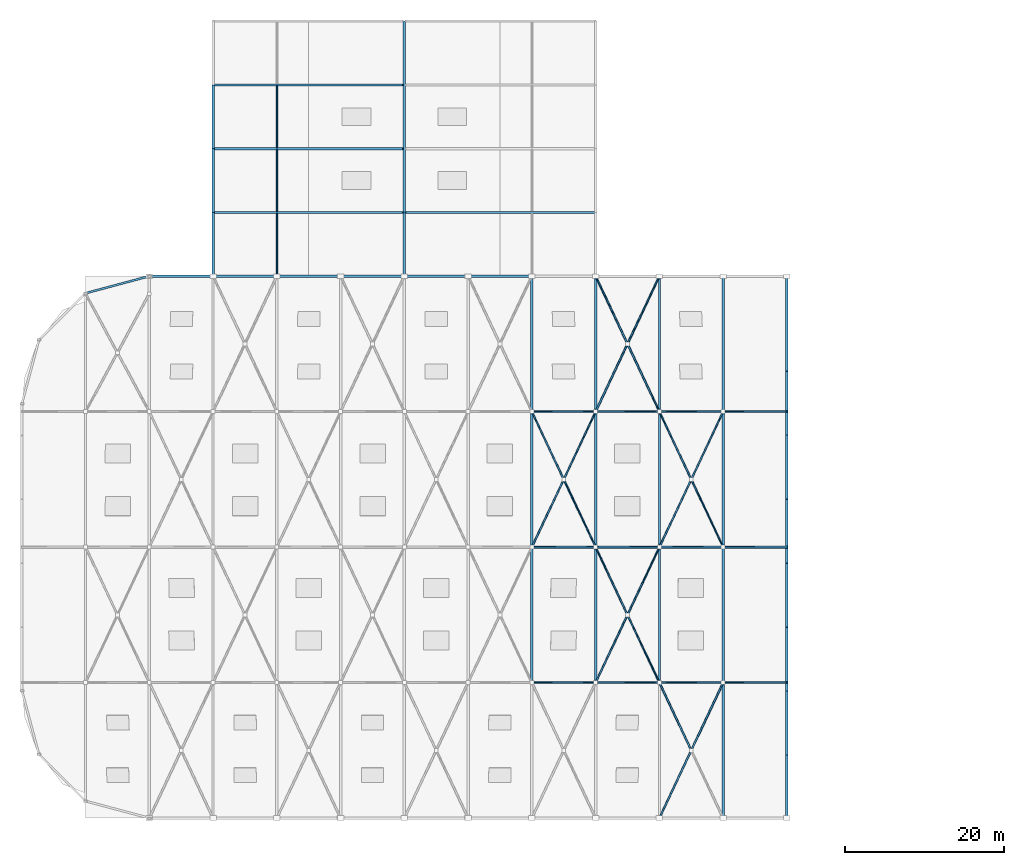
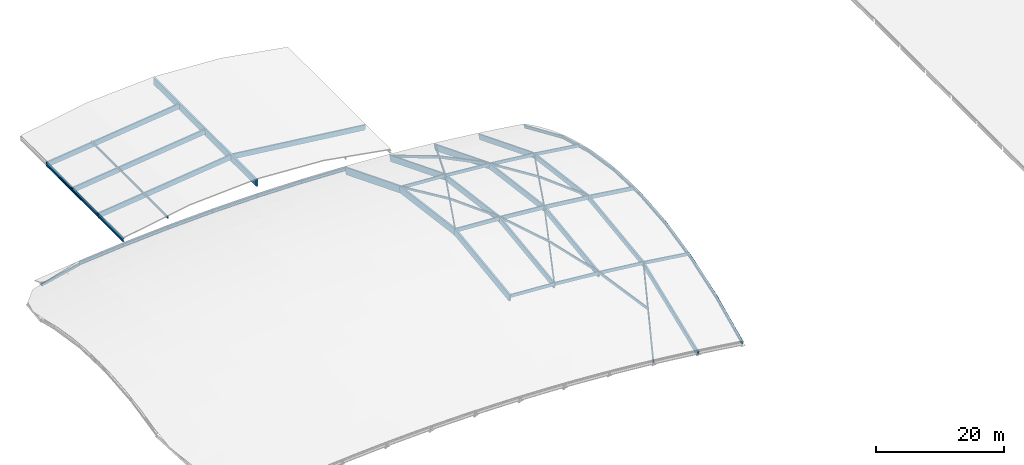
# One storey, part 3 of 11: 36 beams, 29 members.
"""IFC4 building model written with IfcOpenShell, lengths in metres."""

from ifc_helpers import new_model, si_unit, direction, frame, origin, origin_2d, place, context, subcontext, project, spatial, rectangle, hollow_rectangle, i_section, extrude, material, material_profile, profile_set, type_object, element, save


model = new_model("IFC4")

# Units and contexts
model_context = context("Model", 3, precision=1e-05, world=origin(), true_north=direction((0.0, 1.0)))
body_context = subcontext(model_context, "Body", "Model", "MODEL_VIEW")
ifc_project = project(units=[si_unit("LENGTHUNIT", "METRE"), si_unit("AREAUNIT", "SQUARE_METRE"), si_unit("VOLUMEUNIT", "CUBIC_METRE"), si_unit("PLANEANGLEUNIT", "RADIAN"), si_unit("MASSUNIT", "GRAM", prefix="KILO")], contexts=[model_context])

# Site, building, storey
site_placement = place(None, origin())
site = spatial("IfcSite", under=ifc_project, at=site_placement, CompositionType="ELEMENT")
building_placement = place(site_placement, origin())
building = spatial("IfcBuilding", under=site, at=building_placement, Name="Drelvana Railside Aquatics Centre", CompositionType="ELEMENT")
storey_placement = place(building_placement, frame((0.0, 0.0, 22.800048828125)))
storey = spatial("IfcBuildingStorey", under=building, at=storey_placement, Name="Roof", CompositionType="ELEMENT", Elevation=22.800048828125)

# Beams
ifc_material_1 = material(Name="Glulam timber GL28h", Category="wood")
ifc_material_profile_1 = material_profile(ifc_material_1, rectangle(XDim=0.280029296875, YDim=0.9599609375, at=origin_2d()), Name="GL28h 280x960")
ifc_profile_set_1 = profile_set([ifc_material_profile_1], Name="Glulam timber GL28h")
beam_type_1 = type_object("IfcBeamType", Name="STR-GLB-GA-03", PredefinedType="BEAM", material=ifc_profile_set_1)
beam_1_placement = place(storey_placement, frame((88.0, 16.0, -7.39501953125), z_axis=(0.0, 0.929526136341, 0.368756236367), x_axis=(-1.0, 0.0, 0.0)))
element("IfcBeam", 1, at=beam_1_placement, inside=storey, type_object=beam_type_1, Name="Glulam gridshell primary arch rib X11.1", PredefinedType="BEAM", context=body_context, shape_type="SweptSolid", body=[
    extrude(rectangle(XDim=0.280029296875, YDim=0.9599609375, at=origin_2d()), origin(), (0.0, 0.0, 1.0), 18.337158203125),
])
for number, where, z_axis, x_axis, name in (
    (2, (88.0, 32.955078125, -0.656982421875), (0.0, 0.991354224176, 0.131212812671), (-1.0, 0.0, 0.0), "Glulam gridshell primary arch rib X11.2"),
    (3, (88.0, 49.955078125, 1.60498046875), (0.0, 0.991354224176, -0.131212812671), (-1.0, 0.0, 0.0), "Glulam gridshell primary arch rib X11.3"),
):
    element("IfcBeam", number, at=place(storey_placement, frame(where, z_axis=z_axis, x_axis=x_axis)), inside=storey, type_object=beam_type_1, Name=name, PredefinedType="BEAM", context=body_context, shape_type="SweptSolid", body=[
        extrude(rectangle(XDim=0.280029296875, YDim=0.9599609375, at=origin_2d()), origin(), (0.0, 0.0, 1.0), 17.23876953125),
    ])
beam_2_placement = place(storey_placement, frame((88.0, 66.955078125, -0.633056640625), z_axis=(0.0, 0.929526136341, -0.368756236367), x_axis=(-1.0, 0.0, 0.0)))
element("IfcBeam", 4, at=beam_2_placement, inside=storey, type_object=beam_type_1, Name="Glulam gridshell primary arch rib X11.4", PredefinedType="BEAM", context=body_context, shape_type="SweptSolid", body=[
    extrude(rectangle(XDim=0.280029296875, YDim=0.9599609375, at=origin_2d()), origin(), (0.0, 0.0, 1.0), 18.337158203125),
])
for number, where, z_axis, x_axis, name in (
    (5, (24.0, 92.0, -4.840087890625), (0.993174327395, 0.0, 0.116639424741), (0.0, 1.0, 0.0), "Diving Hall glulam vault arch Y92.1"),
    (6, (48.159912109375, 92.0, -2.040283203125), (0.993174327395, 0.0, -0.116639424741), (0.0, 1.0, 0.0), "Diving Hall glulam vault arch Y92.2"),
    (7, (24.0, 100.0, -4.840087890625), (0.993174327395, 0.0, 0.116639424741), (0.0, 1.0, 0.0), "Diving Hall glulam vault arch Y100.1"),
    (8, (24.0, 108.0, -4.840087890625), (0.993174327395, 0.0, 0.116639424741), (0.0, 1.0, 0.0), "Diving Hall glulam vault arch Y108.1"),
):
    element("IfcBeam", number, at=place(storey_placement, frame(where, z_axis=z_axis, x_axis=x_axis)), inside=storey, type_object=beam_type_1, Name=name, PredefinedType="BEAM", context=body_context, shape_type="SweptSolid", body=[
        extrude(rectangle(XDim=0.280029296875, YDim=0.9599609375, at=origin_2d()), origin(), (0.0, 0.0, 1.0), 24.00390625),
    ])
ifc_material_profile_2 = material_profile(ifc_material_1, rectangle(XDim=0.280029296875, YDim=1.1201171875, at=origin_2d()), Name="GL28h 280x1120")
ifc_profile_set_2 = profile_set([ifc_material_profile_2], Name="Glulam timber GL28h")
beam_type_2 = type_object("IfcBeamType", Name="STR-GLB-GA-04", PredefinedType="BEAM", material=ifc_profile_set_2)
for number, where, z_axis, x_axis, name in (
    (9, (72.0, 32.955078125, 0.863037109375), (0.0, 0.991354224176, 0.131212812671), (-1.0, 0.0, 0.0), "Glulam gridshell primary arch rib X09.2"),
    (10, (72.0, 49.955078125, 3.125), (0.0, 0.991354224176, -0.131212812671), (-1.0, 0.0, 0.0), "Glulam gridshell primary arch rib X09.3"),
):
    element("IfcBeam", number, at=place(storey_placement, frame(where, z_axis=z_axis, x_axis=x_axis)), inside=storey, type_object=beam_type_2, Name=name, PredefinedType="BEAM", context=body_context, shape_type="SweptSolid", body=[
        extrude(rectangle(XDim=0.280029296875, YDim=1.1201171875, at=origin_2d()), origin(), (0.0, 0.0, 1.0), 17.23876953125),
    ])
beam_3_placement = place(storey_placement, frame((72.0, 66.955078125, 0.886962890625), z_axis=(0.0, 0.929526136341, -0.368756236367), x_axis=(-1.0, 0.0, 0.0)))
element("IfcBeam", 11, at=beam_3_placement, inside=storey, type_object=beam_type_2, Name="Glulam gridshell primary arch rib X09.4", PredefinedType="BEAM", context=body_context, shape_type="SweptSolid", body=[
    extrude(rectangle(XDim=0.280029296875, YDim=1.1201171875, at=origin_2d()), origin(), (0.0, 0.0, 1.0), 18.337158203125),
])
for number, where, z_axis, x_axis, name in (
    (12, (80.0, 32.955078125, 0.1630859375), (0.0, 0.991354224176, 0.131212812671), (-1.0, 0.0, 0.0), "Glulam gridshell primary arch rib X10.2"),
    (13, (80.0, 49.955078125, 2.425048828125), (0.0, 0.991354224176, -0.131212812671), (-1.0, 0.0, 0.0), "Glulam gridshell primary arch rib X10.3"),
):
    element("IfcBeam", number, at=place(storey_placement, frame(where, z_axis=z_axis, x_axis=x_axis)), inside=storey, type_object=beam_type_2, Name=name, PredefinedType="BEAM", context=body_context, shape_type="SweptSolid", body=[
        extrude(rectangle(XDim=0.280029296875, YDim=1.1201171875, at=origin_2d()), origin(), (0.0, 0.0, 1.0), 17.23876953125),
    ])
beam_4_placement = place(storey_placement, frame((80.0, 66.955078125, 0.186767578125), z_axis=(0.0, 0.929530699892, -0.368744732786), x_axis=(-1.0, 0.0, 0.0)))
element("IfcBeam", 14, at=beam_4_placement, inside=storey, type_object=beam_type_2, Name="Glulam gridshell primary arch rib X10.4", PredefinedType="BEAM", context=body_context, shape_type="SweptSolid", body=[
    extrude(rectangle(XDim=0.280029296875, YDim=1.1201171875, at=origin_2d()), origin(), (0.0, 0.0, 1.0), 18.337158203125),
])
ifc_material_profile_3 = material_profile(ifc_material_1, rectangle(XDim=0.320068359375, YDim=1.280029296875, at=origin_2d()), Name="GL28h 320x1280")
ifc_profile_set_3 = profile_set([ifc_material_profile_3], Name="Glulam timber GL28h")
beam_type_3 = type_object("IfcBeamType", Name="STR-GLB-GA-05", PredefinedType="BEAM", material=ifc_profile_set_3)
for number, where, z_axis, x_axis, name in (
    (15, (64.0, 32.955078125, 1.282958984375), (0.0, 0.991354224176, 0.131212812671), (-1.0, 0.0, 0.0), "Glulam gridshell primary arch rib X08.2"),
    (16, (64.0, 49.955078125, 3.544921875), (0.0, 0.991354224176, -0.131212812671), (-1.0, 0.0, 0.0), "Glulam gridshell primary arch rib X08.3"),
):
    element("IfcBeam", number, at=place(storey_placement, frame(where, z_axis=z_axis, x_axis=x_axis)), inside=storey, type_object=beam_type_3, Name=name, PredefinedType="BEAM", context=body_context, shape_type="SweptSolid", body=[
        extrude(rectangle(XDim=0.320068359375, YDim=1.280029296875, at=origin_2d()), origin(), (0.0, 0.0, 1.0), 17.23876953125),
    ])
beam_5_placement = place(storey_placement, frame((64.0, 66.955078125, 1.306884765625), z_axis=(0.0, 0.929526136341, -0.368756236367), x_axis=(-1.0, 0.0, 0.0)))
element("IfcBeam", 17, at=beam_5_placement, inside=storey, type_object=beam_type_3, Name="Glulam gridshell primary arch rib X08.4", PredefinedType="BEAM", context=body_context, shape_type="SweptSolid", body=[
    extrude(rectangle(XDim=0.320068359375, YDim=1.280029296875, at=origin_2d()), origin(), (0.0, 0.0, 1.0), 18.337158203125),
])
beam_6_placement = place(storey_placement, frame((48.0, 84.0, -2.199951171875), z_axis=(0.0, 1.0, 0.0), x_axis=(-1.0, 0.0, 0.0)))
element("IfcBeam", 18, at=beam_6_placement, inside=storey, type_object=beam_type_3, Name="Diving Hall crown ridge girder", PredefinedType="BEAM", context=body_context, shape_type="SweptSolid", body=[
    extrude(rectangle(XDim=0.320068359375, YDim=1.280029296875, at=origin_2d()), origin(), (0.0, 0.0, 1.0), 32.0),
])

# Members
ifc_material_profile_4 = material_profile(ifc_material_1, rectangle(XDim=0.179931640625, YDim=0.39990234375, at=origin_2d()), Name="GL28h 180x400")
ifc_profile_set_4 = profile_set([ifc_material_profile_4], Name="Glulam timber GL28h")
member_type_1 = type_object("IfcMemberType", Name="STR-GLM-GD-01", PredefinedType="BRACE", material=ifc_profile_set_4)
member_1_placement = place(storey_placement, frame((64.00634765625, 50.013671875, 4.020751953125), z_axis=(0.421314601473, 0.895274211224, -0.144838162452), x_axis=(-0.904815162631, 0.425804557834, 0.0)))
element("IfcMember", 19, at=member_1_placement, inside=storey, type_object=member_type_1, Name="Glulam gridshell continuous diagonal brace GD-046", PredefinedType="BRACE", context=body_context, shape_type="SweptSolid", body=[
    extrude(rectangle(XDim=0.179931640625, YDim=0.39990234375, at=origin_2d()), origin(), (0.0, 0.0, 1.0), 18.9580078125),
])
member_2_placement = place(storey_placement, frame((64.00634765625, 66.986328125, 1.774169921875), z_axis=(0.42072255736, -0.894012809338, 0.154057218164), x_axis=(0.904814550604, 0.425805858362, 0.0)))
element("IfcMember", 20, at=member_2_placement, inside=storey, type_object=member_type_1, Name="Glulam gridshell split diagonal brace GD-047A", PredefinedType="BRACE", context=body_context, shape_type="SweptSolid", body=[
    extrude(rectangle(XDim=0.179931640625, YDim=0.39990234375, at=origin_2d()), origin(), (0.0, 0.0, 1.0), 9.44189453125),
])
member_3_placement = place(storey_placement, frame((68.021240234375, 58.454833984375, 3.238037109375), z_axis=(0.425609458899, -0.904397212305, 0.030368912899), x_axis=(0.904814550604, 0.425805858362, 0.0)))
element("IfcMember", 21, at=member_3_placement, inside=storey, type_object=member_type_1, Name="Glulam gridshell split diagonal brace GD-048B", PredefinedType="BRACE", context=body_context, shape_type="SweptSolid", body=[
    extrude(rectangle(XDim=0.179931640625, YDim=0.39990234375, at=origin_2d()), origin(), (0.0, 0.0, 1.0), 9.33349609375),
])
member_4_placement = place(storey_placement, frame((72.00634765625, 33.013671875, 1.274169921875), z_axis=(0.424363187881, 0.901752317567, 0.082210963589), x_axis=(-0.904815162631, 0.425804557834, 0.0)))
element("IfcMember", 22, at=member_4_placement, inside=storey, type_object=member_type_1, Name="Glulam gridshell continuous diagonal brace GD-049", PredefinedType="BRACE", context=body_context, shape_type="SweptSolid", body=[
    extrude(rectangle(XDim=0.179931640625, YDim=0.39990234375, at=origin_2d()), origin(), (0.0, 0.0, 1.0), 18.82177734375),
])
member_5_placement = place(storey_placement, frame((72.00634765625, 49.986328125, 3.5205078125), z_axis=(0.423927658635, -0.900823477186, -0.093821123394), x_axis=(0.904814550604, 0.425805858362, 0.0)))
element("IfcMember", 23, at=member_5_placement, inside=storey, type_object=member_type_1, Name="Glulam gridshell split diagonal brace GD-050A", PredefinedType="BRACE", context=body_context, shape_type="SweptSolid", body=[
    extrude(rectangle(XDim=0.179931640625, YDim=0.39990234375, at=origin_2d()), origin(), (0.0, 0.0, 1.0), 9.37060546875),
])
member_6_placement = place(storey_placement, frame((76.021240234375, 41.454833984375, 2.62548828125), z_axis=(0.415880783586, -0.883724300441, -0.214649795375), x_axis=(0.904814550604, 0.425805858362, 0.0)))
element("IfcMember", 24, at=member_6_placement, inside=storey, type_object=member_type_1, Name="Glulam gridshell split diagonal brace GD-051B", PredefinedType="BRACE", context=body_context, shape_type="SweptSolid", body=[
    extrude(rectangle(XDim=0.179931640625, YDim=0.39990234375, at=origin_2d()), origin(), (0.0, 0.0, 1.0), 9.5517578125),
])
member_7_placement = place(storey_placement, frame((80.00634765625, 50.013671875, 2.8203125), z_axis=(0.419943083435, 0.892359798277, -0.165353551804), x_axis=(-0.904815162631, 0.425804557834, 0.0)))
element("IfcMember", 25, at=member_7_placement, inside=storey, type_object=member_type_1, Name="Glulam gridshell continuous diagonal brace GD-058", PredefinedType="BRACE", context=body_context, shape_type="SweptSolid", body=[
    extrude(rectangle(XDim=0.179931640625, YDim=0.39990234375, at=origin_2d()), origin(), (0.0, 0.0, 1.0), 19.02001953125),
])
member_8_placement = place(storey_placement, frame((80.00634765625, 66.986328125, 0.573974609375), z_axis=(0.421999372572, -0.896725972999, 0.133413113669), x_axis=(0.904814550604, 0.425805858362, 0.0)))
element("IfcMember", 26, at=member_8_placement, inside=storey, type_object=member_type_1, Name="Glulam gridshell split diagonal brace GD-059A", PredefinedType="BRACE", context=body_context, shape_type="SweptSolid", body=[
    extrude(rectangle(XDim=0.179931640625, YDim=0.39990234375, at=origin_2d()), origin(), (0.0, 0.0, 1.0), 9.413330078125),
])
member_9_placement = place(storey_placement, frame((84.021240234375, 58.454833984375, 1.8369140625), z_axis=(0.425788303052, -0.904777246514, 0.009080483139), x_axis=(0.904814550604, 0.425805858362, 0.0)))
element("IfcMember", 27, at=member_9_placement, inside=storey, type_object=member_type_1, Name="Glulam gridshell split diagonal brace GD-060B", PredefinedType="BRACE", context=body_context, shape_type="SweptSolid", body=[
    extrude(rectangle(XDim=0.179931640625, YDim=0.39990234375, at=origin_2d()), origin(), (0.0, 0.0, 1.0), 9.32958984375),
])
ifc_material_profile_5 = material_profile(ifc_material_1, rectangle(XDim=0.199951171875, YDim=0.47998046875, at=origin_2d()), Name="GL28h 200x480")
ifc_profile_set_5 = profile_set([ifc_material_profile_5], Name="Glulam timber GL28h")
member_type_2 = type_object("IfcMemberType", Name="STR-GLM-GD-02", PredefinedType="BRACE", material=ifc_profile_set_5)
member_10_placement = place(storey_placement, frame((72.00634765625, 67.013671875, 1.226806640625), z_axis=(0.395822755558, 0.841105207434, -0.368600564581), x_axis=(-0.904815162631, 0.425804557834, 0.0)))
element("IfcMember", 28, at=member_10_placement, inside=storey, type_object=member_type_2, Name="Glulam gridshell continuous diagonal brace GD-052", PredefinedType="BRACE", context=body_context, shape_type="SweptSolid", body=[
    extrude(rectangle(XDim=0.199951171875, YDim=0.47998046875, at=origin_2d()), origin(), (0.0, 0.0, 1.0), 20.178955078125),
])
member_11_placement = place(storey_placement, frame((72.00634765625, 83.986328125, -5.512451171875), z_axis=(0.397399697975, -0.844452987369, 0.359127598735), x_axis=(0.904814550604, 0.425805858362, 0.0)))
element("IfcMember", 29, at=member_11_placement, inside=storey, type_object=member_type_2, Name="Glulam gridshell split diagonal brace GD-053A", PredefinedType="BRACE", context=body_context, shape_type="SweptSolid", body=[
    extrude(rectangle(XDim=0.199951171875, YDim=0.47998046875, at=origin_2d()), origin(), (0.0, 0.0, 1.0), 9.99609375),
])
member_12_placement = place(storey_placement, frame((76.021240234375, 75.454833984375, -1.890380859375), z_axis=(0.412181055143, -0.875862576459, 0.250941277871), x_axis=(0.904814550604, 0.425805858362, 0.0)))
element("IfcMember", 30, at=member_12_placement, inside=storey, type_object=member_type_2, Name="Glulam gridshell split diagonal brace GD-054B", PredefinedType="BRACE", context=body_context, shape_type="SweptSolid", body=[
    extrude(rectangle(XDim=0.199951171875, YDim=0.47998046875, at=origin_2d()), origin(), (0.0, 0.0, 1.0), 9.637451171875),
])
member_13_placement = place(storey_placement, frame((80.00634765625, 16.013671875, -6.21240234375), z_axis=(0.40655341252, 0.863907361487, 0.297285037527), x_axis=(-0.904815162631, 0.425804557834, 0.0)))
element("IfcMember", 31, at=member_13_placement, inside=storey, type_object=member_type_2, Name="Glulam gridshell continuous diagonal brace GD-055", PredefinedType="BRACE", context=body_context, shape_type="SweptSolid", body=[
    extrude(rectangle(XDim=0.199951171875, YDim=0.47998046875, at=origin_2d()), origin(), (0.0, 0.0, 1.0), 19.646484375),
])
member_14_placement = place(storey_placement, frame((80.00634765625, 32.986328125, 0.526611328125), z_axis=(0.402599346592, -0.855501961061, -0.325622727623), x_axis=(0.904814550604, 0.425805858362, 0.0)))
element("IfcMember", 32, at=member_14_placement, inside=storey, type_object=member_type_2, Name="Glulam gridshell split diagonal brace GD-056A", PredefinedType="BRACE", context=body_context, shape_type="SweptSolid", body=[
    extrude(rectangle(XDim=0.199951171875, YDim=0.47998046875, at=origin_2d()), origin(), (0.0, 0.0, 1.0), 9.866943359375),
])
ifc_material_profile_6 = material_profile(ifc_material_1, rectangle(XDim=0.179931640625, YDim=0.39990234375, at=origin_2d()), Name="GL28h 180x400")
ifc_profile_set_6 = profile_set([ifc_material_profile_6], Name="Glulam timber GL28h")
member_type_3 = type_object("IfcMemberType", Name="STR-GLM-GR-02", PredefinedType="RAFTER", material=ifc_profile_set_6)
member_15_placement = place(storey_placement, frame((32.0, 84.0, -3.179931640625), z_axis=(0.0, 1.0, 0.0), x_axis=(-1.0, 0.0, 0.0)))
element("IfcMember", 33, at=member_15_placement, inside=storey, type_object=member_type_3, Name="Diving Hall vault purlin X32.1", PredefinedType="RAFTER", context=body_context, shape_type="SweptSolid", body=[
    extrude(rectangle(XDim=0.179931640625, YDim=0.39990234375, at=origin_2d()), origin(), (0.0, 0.0, 1.0), 7.864990234375),
])
for number, where, z_axis, x_axis, name in (
    (34, (32.0, 92.135009765625, -3.179931640625), (0.0, 1.0, 0.0), (-1.0, 0.0, 0.0), "Diving Hall vault purlin X32.2"),
    (35, (32.0, 100.135009765625, -3.179931640625), (0.0, 1.0, 0.0), (-1.0, 0.0, 0.0), "Diving Hall vault purlin X32.3"),
):
    element("IfcMember", number, at=place(storey_placement, frame(where, z_axis=z_axis, x_axis=x_axis)), inside=storey, type_object=member_type_3, Name=name, PredefinedType="RAFTER", context=body_context, shape_type="SweptSolid", body=[
        extrude(rectangle(XDim=0.179931640625, YDim=0.39990234375, at=origin_2d()), origin(), (0.0, 0.0, 1.0), 7.72998046875),
    ])
ifc_material_profile_7 = material_profile(ifc_material_1, rectangle(XDim=0.199951171875, YDim=0.60009765625, at=origin_2d()), Name="GL28h 200x600")
ifc_profile_set_7 = profile_set([ifc_material_profile_7], Name="Glulam timber GL28h")
member_type_4 = type_object("IfcMemberType", Name="STR-GLM-GR-04", PredefinedType="RAFTER", material=ifc_profile_set_7)
member_16_placement = place(storey_placement, frame((63.955078125, 33.0, 1.63720703125), z_axis=(0.998052578483, 0.0, -0.062378286155), x_axis=(0.0, 1.0, 0.0)))
element("IfcMember", 36, at=member_16_placement, inside=storey, type_object=member_type_4, Name="Glulam gridshell longitudinal rib Y01.9", PredefinedType="RAFTER", context=body_context, shape_type="SweptSolid", body=[
    extrude(rectangle(XDim=0.199951171875, YDim=0.60009765625, at=origin_2d()), origin(), (0.0, 0.0, 1.0), 8.105712890625),
])
member_17_placement = place(storey_placement, frame((71.955078125, 33.0, 1.138427734375), z_axis=(0.996192150981, 0.0, -0.087184851456), x_axis=(0.0, 1.0, 0.0)))
element("IfcMember", 37, at=member_17_placement, inside=storey, type_object=member_type_4, Name="Glulam gridshell longitudinal rib Y01.10", PredefinedType="RAFTER", context=body_context, shape_type="SweptSolid", body=[
    extrude(rectangle(XDim=0.199951171875, YDim=0.60009765625, at=origin_2d()), origin(), (0.0, 0.0, 1.0), 8.120849609375),
])
member_18_placement = place(storey_placement, frame((79.955078125, 33.0, 0.439453125), z_axis=(0.993730649812, 0.0, -0.111800695995), x_axis=(0.0, 1.0, 0.0)))
element("IfcMember", 38, at=member_18_placement, inside=storey, type_object=member_type_4, Name="Glulam gridshell longitudinal rib Y01.11", PredefinedType="RAFTER", context=body_context, shape_type="SweptSolid", body=[
    extrude(rectangle(XDim=0.199951171875, YDim=0.60009765625, at=origin_2d()), origin(), (0.0, 0.0, 1.0), 8.140869140625),
])
member_19_placement = place(storey_placement, frame((87.955078125, 33.0, -0.45947265625), z_axis=(0.990690601984, 0.0, -0.136132770265), x_axis=(0.0, 1.0, 0.0)))
element("IfcMember", 39, at=member_19_placement, inside=storey, type_object=member_type_4, Name="Glulam gridshell longitudinal rib Y01.12", PredefinedType="RAFTER", context=body_context, shape_type="SweptSolid", body=[
    extrude(rectangle(XDim=0.199951171875, YDim=0.60009765625, at=origin_2d()), origin(), (0.0, 0.0, 1.0), 8.12060546875),
])
member_20_placement = place(storey_placement, frame((63.955078125, 67.0, 1.63720703125), z_axis=(0.998052578483, 0.0, -0.062378286155), x_axis=(0.0, 1.0, 0.0)))
element("IfcMember", 40, at=member_20_placement, inside=storey, type_object=member_type_4, Name="Glulam gridshell longitudinal rib Y03.9", PredefinedType="RAFTER", context=body_context, shape_type="SweptSolid", body=[
    extrude(rectangle(XDim=0.199951171875, YDim=0.60009765625, at=origin_2d()), origin(), (0.0, 0.0, 1.0), 8.105712890625),
])
member_21_placement = place(storey_placement, frame((71.955078125, 67.0, 1.138427734375), z_axis=(0.996192150981, 0.0, -0.087184851456), x_axis=(0.0, 1.0, 0.0)))
element("IfcMember", 41, at=member_21_placement, inside=storey, type_object=member_type_4, Name="Glulam gridshell longitudinal rib Y03.10", PredefinedType="RAFTER", context=body_context, shape_type="SweptSolid", body=[
    extrude(rectangle(XDim=0.199951171875, YDim=0.60009765625, at=origin_2d()), origin(), (0.0, 0.0, 1.0), 8.120849609375),
])
member_22_placement = place(storey_placement, frame((79.955078125, 67.0, 0.439453125), z_axis=(0.993730649812, 0.0, -0.111800695995), x_axis=(0.0, 1.0, 0.0)))
element("IfcMember", 42, at=member_22_placement, inside=storey, type_object=member_type_4, Name="Glulam gridshell longitudinal rib Y03.11", PredefinedType="RAFTER", context=body_context, shape_type="SweptSolid", body=[
    extrude(rectangle(XDim=0.199951171875, YDim=0.60009765625, at=origin_2d()), origin(), (0.0, 0.0, 1.0), 8.140869140625),
])
member_23_placement = place(storey_placement, frame((87.955078125, 67.0, -0.45947265625), z_axis=(0.990690601984, 0.0, -0.136132770265), x_axis=(0.0, 1.0, 0.0)))
element("IfcMember", 43, at=member_23_placement, inside=storey, type_object=member_type_4, Name="Glulam gridshell longitudinal rib Y03.12", PredefinedType="RAFTER", context=body_context, shape_type="SweptSolid", body=[
    extrude(rectangle(XDim=0.199951171875, YDim=0.60009765625, at=origin_2d()), origin(), (0.0, 0.0, 1.0), 8.12060546875),
])
ifc_material_profile_8 = material_profile(ifc_material_1, rectangle(XDim=0.239990234375, YDim=0.719970703125, at=origin_2d()), Name="GL28h 240x720")
ifc_profile_set_8 = profile_set([ifc_material_profile_8], Name="Glulam timber GL28h")
member_type_5 = type_object("IfcMemberType", Name="STR-GLM-GR-05", PredefinedType="RAFTER", material=ifc_profile_set_8)
member_24_placement = place(storey_placement, frame((63.955078125, 50.0, 3.8271484375), z_axis=(0.998052578483, 0.0, -0.062378286155), x_axis=(0.0, 1.0, 0.0)))
element("IfcMember", 44, at=member_24_placement, inside=storey, type_object=member_type_5, Name="Glulam gridshell longitudinal rib Y02.9", PredefinedType="RAFTER", context=body_context, shape_type="SweptSolid", body=[
    extrude(rectangle(XDim=0.239990234375, YDim=0.719970703125, at=origin_2d()), origin(), (0.0, 0.0, 1.0), 8.105712890625),
])
member_25_placement = place(storey_placement, frame((71.955078125, 50.0, 3.328369140625), z_axis=(0.996192150981, 0.0, -0.087184851456), x_axis=(0.0, 1.0, 0.0)))
element("IfcMember", 45, at=member_25_placement, inside=storey, type_object=member_type_5, Name="Glulam gridshell longitudinal rib Y02.10", PredefinedType="RAFTER", context=body_context, shape_type="SweptSolid", body=[
    extrude(rectangle(XDim=0.239990234375, YDim=0.719970703125, at=origin_2d()), origin(), (0.0, 0.0, 1.0), 8.120849609375),
])
member_26_placement = place(storey_placement, frame((79.955078125, 50.0, 2.62939453125), z_axis=(0.993730649812, 0.0, -0.111800695995), x_axis=(0.0, 1.0, 0.0)))
element("IfcMember", 46, at=member_26_placement, inside=storey, type_object=member_type_5, Name="Glulam gridshell longitudinal rib Y02.11", PredefinedType="RAFTER", context=body_context, shape_type="SweptSolid", body=[
    extrude(rectangle(XDim=0.239990234375, YDim=0.719970703125, at=origin_2d()), origin(), (0.0, 0.0, 1.0), 8.140869140625),
])
member_27_placement = place(storey_placement, frame((87.955078125, 50.0, 1.73046875), z_axis=(0.990690601984, 0.0, -0.136132770265), x_axis=(0.0, 1.0, 0.0)))
element("IfcMember", 47, at=member_27_placement, inside=storey, type_object=member_type_5, Name="Glulam gridshell longitudinal rib Y02.12", PredefinedType="RAFTER", context=body_context, shape_type="SweptSolid", body=[
    extrude(rectangle(XDim=0.239990234375, YDim=0.719970703125, at=origin_2d()), origin(), (0.0, 0.0, 1.0), 8.12060546875),
])

# Beams
ifc_material_2 = material(Name="Structural steel S355", Category="steel")
ifc_material_profile_9 = material_profile(ifc_material_2, i_section(OverallWidth=0.300048828125, OverallDepth=0.5, WebThickness=0.014404296875, FlangeThickness=0.028076171875, at=origin_2d()), Name="HEB 500")
ifc_profile_set_9 = profile_set([ifc_material_profile_9], Name="Structural steel S355")
beam_type_4 = type_object("IfcBeamType", Name="STR-SBM-RB-01-HEB-500", PredefinedType="USERDEFINED", material=ifc_profile_set_9)
beam_7_placement = place(storey_placement, frame((96.0, 16.0, -8.22900390625), z_axis=(0.0, 0.906021313588, 0.423232063205), x_axis=(-1.0, 0.0, 0.0)))
element("IfcBeam", 48, at=beam_7_placement, inside=storey, type_object=beam_type_4, Name="Gridshell East Ring Beam RB-01 E-01", ObjectType="RING BEAM", PredefinedType="USERDEFINED", context=body_context, shape_type="SweptSolid", body=[
    extrude(i_section(OverallWidth=0.300048828125, OverallDepth=0.5, WebThickness=0.014404296875, FlangeThickness=0.028076171875, at=origin_2d()), origin(), (0.0, 0.0, 1.0), 8.829833984375),
])
beam_8_placement = place(storey_placement, frame((96.0, 24.0, -4.491943359375), z_axis=(0.0, 0.946032207964, 0.324072617627), x_axis=(-1.0, 0.0, 0.0)))
element("IfcBeam", 49, at=beam_8_placement, inside=storey, type_object=beam_type_4, Name="Gridshell East Ring Beam RB-01 E-02", ObjectType="RING BEAM", PredefinedType="USERDEFINED", context=body_context, shape_type="SweptSolid", body=[
    extrude(i_section(OverallWidth=0.300048828125, OverallDepth=0.5, WebThickness=0.014404296875, FlangeThickness=0.028076171875, at=origin_2d()), origin(), (0.0, 0.0, 1.0), 8.456298828125),
])
beam_9_placement = place(storey_placement, frame((96.0, 32.0, -1.75146484375), z_axis=(0.0, 0.977055375556, 0.212985429309), x_axis=(-1.0, 0.0, 0.0)))
element("IfcBeam", 50, at=beam_9_placement, inside=storey, type_object=beam_type_4, Name="Gridshell East Ring Beam RB-01 E-03", ObjectType="RING BEAM", PredefinedType="USERDEFINED", context=body_context, shape_type="SweptSolid", body=[
    extrude(i_section(OverallWidth=0.300048828125, OverallDepth=0.5, WebThickness=0.014404296875, FlangeThickness=0.028076171875, at=origin_2d()), origin(), (0.0, 0.0, 1.0), 8.18798828125),
])
beam_10_placement = place(storey_placement, frame((96.0, 40.0, -0.007568359375), z_axis=(0.0, 0.995665232758, 0.093009377364), x_axis=(-1.0, 0.0, 0.0)))
element("IfcBeam", 51, at=beam_10_placement, inside=storey, type_object=beam_type_4, Name="Gridshell East Ring Beam RB-01 E-04", ObjectType="RING BEAM", PredefinedType="USERDEFINED", context=body_context, shape_type="SweptSolid", body=[
    extrude(i_section(OverallWidth=0.300048828125, OverallDepth=0.5, WebThickness=0.014404296875, FlangeThickness=0.028076171875, at=origin_2d()), origin(), (0.0, 0.0, 1.0), 8.034912109375),
])
beam_11_placement = place(storey_placement, frame((96.0, 48.0, 0.73974609375), z_axis=(0.0, 0.999515877785, -0.031112859965), x_axis=(-1.0, 0.0, 0.0)))
element("IfcBeam", 52, at=beam_11_placement, inside=storey, type_object=beam_type_4, Name="Gridshell East Ring Beam RB-01 E-05", ObjectType="RING BEAM", PredefinedType="USERDEFINED", context=body_context, shape_type="SweptSolid", body=[
    extrude(i_section(OverallWidth=0.300048828125, OverallDepth=0.5, WebThickness=0.014404296875, FlangeThickness=0.028076171875, at=origin_2d()), origin(), (0.0, 0.0, 1.0), 8.00390625),
])
beam_12_placement = place(storey_placement, frame((96.0, 56.0, 0.49072265625), z_axis=(0.0, 0.988094679346, -0.153847017029), x_axis=(-1.0, 0.0, 0.0)))
element("IfcBeam", 53, at=beam_12_placement, inside=storey, type_object=beam_type_4, Name="Gridshell East Ring Beam RB-01 E-06", ObjectType="RING BEAM", PredefinedType="USERDEFINED", context=body_context, shape_type="SweptSolid", body=[
    extrude(i_section(OverallWidth=0.300048828125, OverallDepth=0.5, WebThickness=0.014404296875, FlangeThickness=0.028076171875, at=origin_2d()), origin(), (0.0, 0.0, 1.0), 8.096435546875),
])
beam_13_placement = place(storey_placement, frame((96.0, 64.0, -0.7548828125), z_axis=(0.0, 0.962887990266, -0.269901311969), x_axis=(-1.0, 0.0, 0.0)))
element("IfcBeam", 54, at=beam_13_placement, inside=storey, type_object=beam_type_4, Name="Gridshell East Ring Beam RB-01 E-07", ObjectType="RING BEAM", PredefinedType="USERDEFINED", context=body_context, shape_type="SweptSolid", body=[
    extrude(i_section(OverallWidth=0.300048828125, OverallDepth=0.5, WebThickness=0.014404296875, FlangeThickness=0.028076171875, at=origin_2d()), origin(), (0.0, 0.0, 1.0), 8.308349609375),
])
beam_14_placement = place(storey_placement, frame((96.0, 72.0, -2.997314453125), z_axis=(0.0, 0.91667021385, -0.399644490816), x_axis=(-1.0, 0.0, 0.0)))
element("IfcBeam", 55, at=beam_14_placement, inside=storey, type_object=beam_type_4, Name="Gridshell East Ring Beam RB-01 E-08", ObjectType="RING BEAM", PredefinedType="USERDEFINED", context=body_context, shape_type="SweptSolid", body=[
    extrude(i_section(OverallWidth=0.300048828125, OverallDepth=0.5, WebThickness=0.014404296875, FlangeThickness=0.028076171875, at=origin_2d()), origin(), (0.0, 0.0, 1.0), 13.0908203125),
])
for number, where, z_axis, x_axis, name in (
    (56, (24.0, 84.0, -4.719970703125), (0.0, 1.0, 0.0), (-1.0, 0.0, 0.0), "Diving Hall eaves ring beam X24.1"),
    (57, (24.0, 92.0, -4.719970703125), (0.0, 1.0, 0.0), (-1.0, 0.0, 0.0), "Diving Hall eaves ring beam X24.2"),
    (58, (24.0, 100.0, -4.719970703125), (0.0, 1.0, 0.0), (-1.0, 0.0, 0.0), "Diving Hall eaves ring beam X24.3"),
):
    element("IfcBeam", number, at=place(storey_placement, frame(where, z_axis=z_axis, x_axis=x_axis)), inside=storey, type_object=beam_type_4, Name=name, ObjectType="RING BEAM", PredefinedType="USERDEFINED", context=body_context, shape_type="SweptSolid", body=[
        extrude(i_section(OverallWidth=0.300048828125, OverallDepth=0.5, WebThickness=0.014404296875, FlangeThickness=0.028076171875, at=origin_2d()), origin(), (0.0, 0.0, 1.0), 8.0),
    ])
ifc_material_profile_10 = material_profile(ifc_material_2, i_section(OverallWidth=0.300048828125, OverallDepth=0.60009765625, WebThickness=0.015380859375, FlangeThickness=0.030029296875, at=origin_2d()), Name="HEB 600")
ifc_profile_set_10 = profile_set([ifc_material_profile_10], Name="Structural steel S355")
beam_type_5 = type_object("IfcBeamType", Name="STR-SBM-RB-02-HEB-600", PredefinedType="USERDEFINED", material=ifc_profile_set_10)
beam_15_placement = place(storey_placement, frame((16.0, 84.0, -6.279052734375), z_axis=(0.996194245461, 0.0, 0.087160916191), x_axis=(0.0, 1.0, 0.0)))
element("IfcBeam", 59, at=beam_15_placement, inside=storey, type_object=beam_type_5, Name="Gridshell Ring Beam RB-02 N-02", ObjectType="RING BEAM", PredefinedType="USERDEFINED", context=body_context, shape_type="SweptSolid", body=[
    extrude(i_section(OverallWidth=0.300048828125, OverallDepth=0.60009765625, WebThickness=0.015380859375, FlangeThickness=0.030029296875, at=origin_2d()), origin(), (0.0, 0.0, 1.0), 8.030517578125),
])
beam_16_placement = place(storey_placement, frame((24.0, 84.0, -5.5791015625), z_axis=(0.998052578483, 0.0, 0.062378286155), x_axis=(0.0, 1.0, 0.0)))
element("IfcBeam", 60, at=beam_16_placement, inside=storey, type_object=beam_type_5, Name="Gridshell Ring Beam RB-02 N-03", ObjectType="RING BEAM", PredefinedType="USERDEFINED", context=body_context, shape_type="SweptSolid", body=[
    extrude(i_section(OverallWidth=0.300048828125, OverallDepth=0.60009765625, WebThickness=0.015380859375, FlangeThickness=0.030029296875, at=origin_2d()), origin(), (0.0, 0.0, 1.0), 8.015625),
])
beam_17_placement = place(storey_placement, frame((32.0, 84.0, -5.0791015625), z_axis=(0.999297387291, 0.0, 0.037479751251), x_axis=(0.0, 1.0, 0.0)))
element("IfcBeam", 61, at=beam_17_placement, inside=storey, type_object=beam_type_5, Name="Gridshell Ring Beam RB-02 N-04", ObjectType="RING BEAM", PredefinedType="USERDEFINED", context=body_context, shape_type="SweptSolid", body=[
    extrude(i_section(OverallWidth=0.300048828125, OverallDepth=0.60009765625, WebThickness=0.015380859375, FlangeThickness=0.030029296875, at=origin_2d()), origin(), (0.0, 0.0, 1.0), 8.005615234375),
])
for number, where, z_axis, x_axis, name in (
    (62, (40.0, 84.0, -4.779052734375), (0.999921731527, 0.0, 0.01251122772), (0.0, 1.0, 0.0), "Gridshell Ring Beam RB-02 N-05"),
    (63, (48.0, 84.0, -4.678955078125), (0.999921731527, 0.0, -0.01251122772), (0.0, 1.0, 0.0), "Gridshell Ring Beam RB-02 N-06"),
):
    element("IfcBeam", number, at=place(storey_placement, frame(where, z_axis=z_axis, x_axis=x_axis)), inside=storey, type_object=beam_type_5, Name=name, ObjectType="RING BEAM", PredefinedType="USERDEFINED", context=body_context, shape_type="SweptSolid", body=[
        extrude(i_section(OverallWidth=0.300048828125, OverallDepth=0.60009765625, WebThickness=0.015380859375, FlangeThickness=0.030029296875, at=origin_2d()), origin(), (0.0, 0.0, 1.0), 8.000732421875),
    ])
beam_18_placement = place(storey_placement, frame((56.0, 84.0, -4.779052734375), z_axis=(0.999297387291, 0.0, -0.037479751251), x_axis=(0.0, 1.0, 0.0)))
element("IfcBeam", 64, at=beam_18_placement, inside=storey, type_object=beam_type_5, Name="Gridshell Ring Beam RB-02 N-07", ObjectType="RING BEAM", PredefinedType="USERDEFINED", context=body_context, shape_type="SweptSolid", body=[
    extrude(i_section(OverallWidth=0.300048828125, OverallDepth=0.60009765625, WebThickness=0.015380859375, FlangeThickness=0.030029296875, at=origin_2d()), origin(), (0.0, 0.0, 1.0), 8.005615234375),
])
ifc_material_profile_11 = material_profile(ifc_material_2, hollow_rectangle(XDim=0.25, YDim=0.449951171875, WallThickness=0.01611328125, at=origin_2d()), Name="RHS 450x250x16")
ifc_profile_set_11 = profile_set([ifc_material_profile_11], Name="Structural steel S355")
beam_type_6 = type_object("IfcBeamType", Name="STR-SBM-RB-03-RHS-450x250x16", PredefinedType="USERDEFINED", material=ifc_profile_set_11)
beam_19_placement = place(storey_placement, frame((16.0, 84.0, -6.462158203125), z_axis=(-0.965647683583, -0.258739827327, 0.024046890558), x_axis=(0.25881466832, -0.965926999034, 0.0)))
element("IfcBeam", 65, at=beam_19_placement, inside=storey, type_object=beam_type_6, Name="Gridshell Corner Ring Beam RB-03 NW-1", ObjectType="RING BEAM", PredefinedType="USERDEFINED", context=body_context, shape_type="SweptSolid", body=[
    extrude(hollow_rectangle(XDim=0.25, YDim=0.449951171875, WallThickness=0.01611328125, at=origin_2d()), origin(), (0.0, 0.0, 1.0), 8.28466796875),
])

save(model, "model.ifc")
